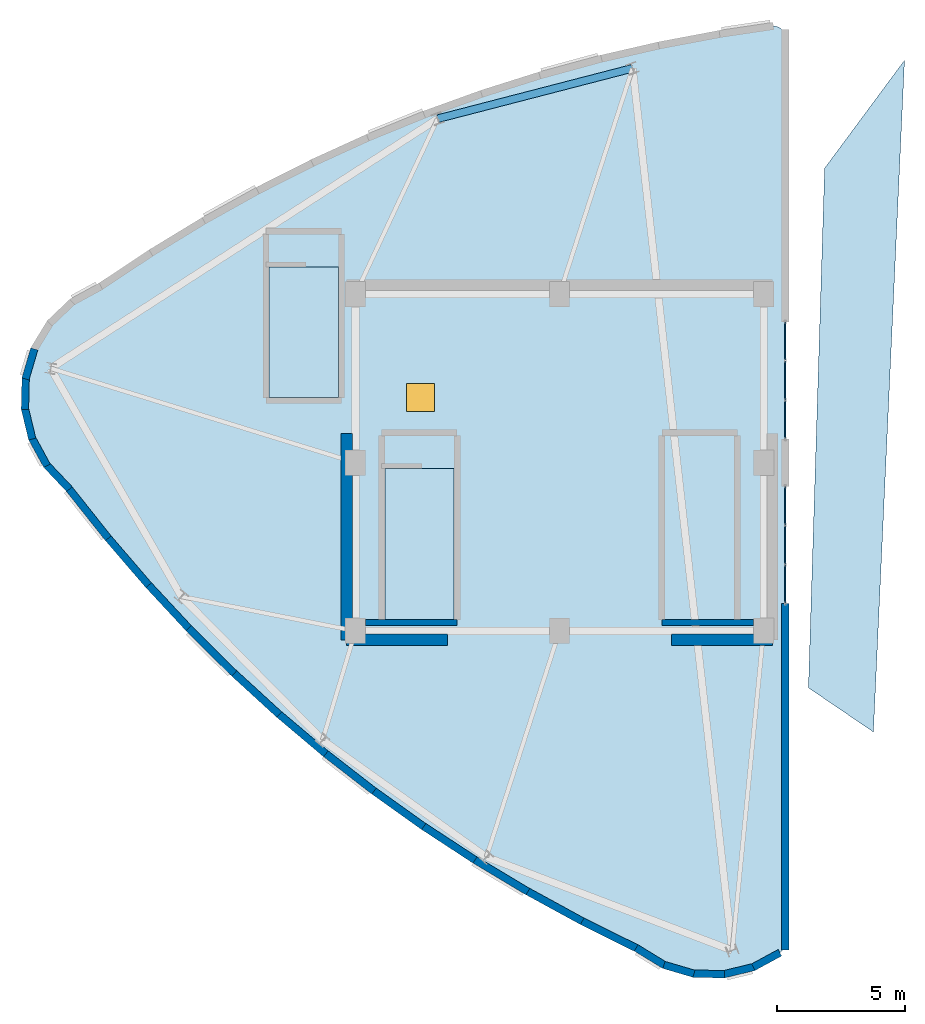
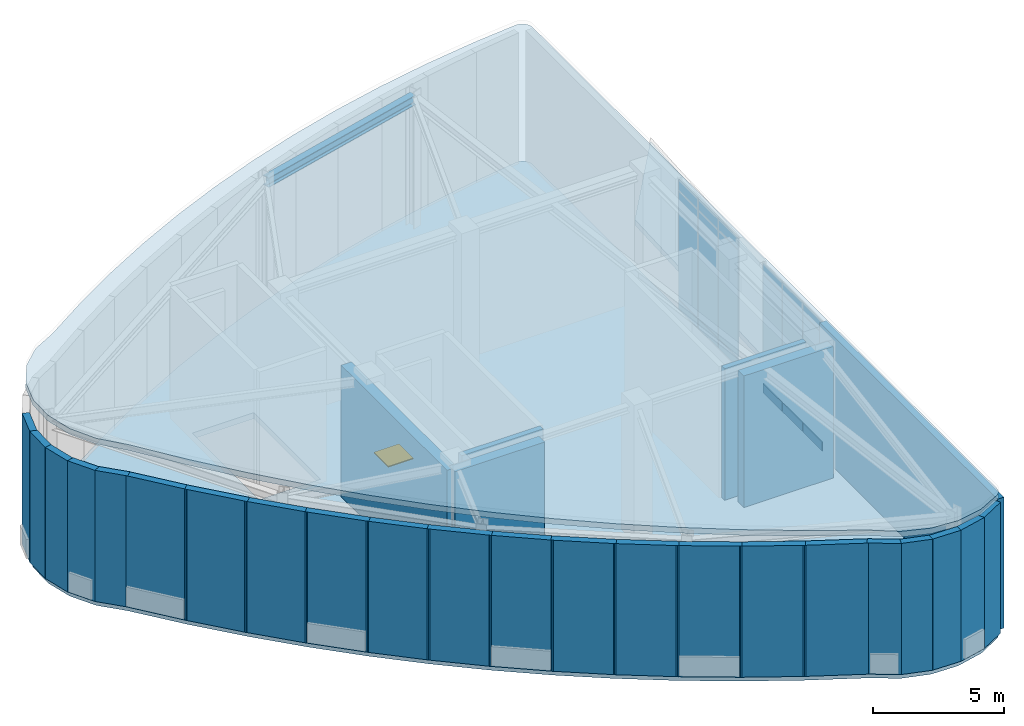
# One storey, part 7 of 9: 28 walls, 18 plates, 3 slabs, 1 beam, 1 door, 1 opening, 2 elements without a shape of their own.
"""IFC4 building model written with IfcOpenShell, lengths in metres."""

from ifc_helpers import new_model, si_unit, direction, frame, frame_2d, origin, origin_2d, place, context, subcontext, project, spatial, polyline, rectangle, i_section, outline, extrude, material, layer, layer_set, material_profile, profile_set, type_object, element, fill, aggregate, save


model = new_model("IFC4")

# Units and contexts
model_context = context("Model", 3, precision=1e-05, world=origin(), true_north=direction((0.0, 1.0)))
body_context = subcontext(model_context, "Body", "Model", "MODEL_VIEW")
ifc_project = project(units=[si_unit("LENGTHUNIT", "METRE"), si_unit("AREAUNIT", "SQUARE_METRE"), si_unit("VOLUMEUNIT", "CUBIC_METRE"), si_unit("PLANEANGLEUNIT", "RADIAN"), si_unit("MASSUNIT", "GRAM", prefix="KILO")], contexts=[model_context])

# Site, building, storey
site_placement = place(None, origin())
site = spatial("IfcSite", under=ifc_project, at=site_placement, CompositionType="ELEMENT")
building_placement = place(site_placement, origin())
building = spatial("IfcBuilding", under=site, at=building_placement, Name="Ndelora Gate Hotel", CompositionType="ELEMENT")
storey_placement = place(building_placement, frame((0.0, 0.0, 311.60009765625)))
storey = spatial("IfcBuildingStorey", under=building, at=storey_placement, Name="RF2", CompositionType="ELEMENT", Elevation=311.60009765625)

# Beam
ifc_material_1 = material(Name="Steel S355", Category="steel")
ifc_material_profile = material_profile(ifc_material_1, i_section(OverallWidth=0.300048828125, OverallDepth=0.449951171875, WebThickness=0.013916015625, FlangeThickness=0.02587890625, FilletRadius=0.027099609375, at=origin_2d()), Name="HEB 450")
ifc_profile_set = profile_set([ifc_material_profile], Name="Steel S355")
beam_type = type_object("IfcBeamType", Name="BM-RING-450", PredefinedType="SPANDREL", material=ifc_profile_set)
beam_placement = place(storey_placement, frame((2.865478515625, 15.461181640625, 5.914794921875), z_axis=(-0.968064499617, -0.250701265615, 0.0), x_axis=(0.250701265615, -0.968064499617, 0.0)))
element("IfcBeam", 1, at=beam_placement, inside=storey, type_object=beam_type, Name="RF2 structural beam RB-5", PredefinedType="SPANDREL", context=body_context, shape_type="SweptSolid", body=[
    extrude(i_section(OverallWidth=0.300048828125, OverallDepth=0.449951171875, WebThickness=0.013916015625, FlangeThickness=0.02587890625, FilletRadius=0.027099609375, at=origin_2d()), origin(), (0.0, 0.0, 1.0), 7.891845703125),
])

# Curtain wall, plates
ifc_material_2 = material(Name="Bronze Anodised Unitised Aluminium and Low-E Glass", Category="aluminium")
ifc_layer_1 = layer(ifc_material_2, 0.199951171875)
ifc_layer_set_1 = layer_set([ifc_layer_1], Name="Bronze Anodised Unitised Aluminium and Low-E Glass")
curtain_wall_type = type_object("IfcCurtainWallType", Name="CW-SYS-8", PredefinedType="NOTDEFINED", material=ifc_layer_set_1)
curtain_wall_1_placement = place(storey_placement, origin())
curtain_wall_1 = element("IfcCurtainWall", 2, at=curtain_wall_1_placement, inside=storey, type_object=curtain_wall_type, Name="RF2 Split-Crown West Cleft Lantern Curtain Wall CW8-1", PredefinedType="NOTDEFINED")
ifc_material_3 = material(Name="Solar-Control Low-E Insulated Glazing", Category="glass")
ifc_layer_2 = layer(ifc_material_3, 0.048095703125)
ifc_layer_set_2 = layer_set([ifc_layer_2], Name="Solar-Control Low-E Insulated Glazing")
plate_type = type_object("IfcPlateType", Name="PL-CW-GLZ36", PredefinedType="CURTAIN_PANEL", material=ifc_layer_set_2)
plate_1_placement = place(storey_placement, frame((8.85009765625, -4.760009765625, 0.0537109375), z_axis=(0.0, 0.0, 1.0), x_axis=(0.0, 1.0, 0.0)))
plate_1 = element("IfcPlate", 3, at=plate_1_placement, type_object=plate_type, Name="CW8 panel 1.1", PredefinedType="CURTAIN_PANEL", context=body_context, shape_type="SweptSolid", body=[
    extrude(rectangle(XDim=1.471923828125, YDim=0.048095703125, at=origin_2d()), origin(), (0.0, 0.0, 1.0), 0.422119140625),
])
plate_2_placement = place(storey_placement, frame((8.85009765625, -4.760009765625, 0.52392578125), z_axis=(0.0, 0.0, 1.0), x_axis=(0.0, 1.0, 0.0)))
plate_2 = element("IfcPlate", 4, at=plate_2_placement, type_object=plate_type, Name="CW8 panel 1.2", PredefinedType="CURTAIN_PANEL", context=body_context, shape_type="SweptSolid", body=[
    extrude(rectangle(XDim=1.471923828125, YDim=0.048095703125, at=origin_2d()), origin(), (0.0, 0.0, 1.0), 5.02197265625),
])
plate_3_placement = place(storey_placement, frame((8.85009765625, -4.760009765625, 5.59375), z_axis=(0.0, 0.0, 1.0), x_axis=(0.0, 1.0, 0.0)))
plate_3 = element("IfcPlate", 5, at=plate_3_placement, type_object=plate_type, Name="CW8 panel 1.3", PredefinedType="CURTAIN_PANEL", context=body_context, shape_type="SweptSolid", body=[
    extrude(rectangle(XDim=1.471923828125, YDim=0.048095703125, at=origin_2d()), origin(), (0.0, 0.0, 1.0), 0.471923828125),
])
plate_4_placement = place(storey_placement, frame((8.85009765625, -3.22509765625, 0.0537109375), z_axis=(0.0, 0.0, 1.0), x_axis=(0.0, 1.0, 0.0)))
plate_4 = element("IfcPlate", 6, at=plate_4_placement, type_object=plate_type, Name="CW8 panel 2.1", PredefinedType="CURTAIN_PANEL", context=body_context, shape_type="SweptSolid", body=[
    extrude(rectangle(XDim=1.501953125, YDim=0.048095703125, at=origin_2d()), origin(), (0.0, 0.0, 1.0), 0.422119140625),
])
plate_5_placement = place(storey_placement, frame((8.85009765625, -3.22509765625, 0.52392578125), z_axis=(0.0, 0.0, 1.0), x_axis=(0.0, 1.0, 0.0)))
plate_5 = element("IfcPlate", 7, at=plate_5_placement, type_object=plate_type, Name="CW8 panel 2.2", PredefinedType="CURTAIN_PANEL", context=body_context, shape_type="SweptSolid", body=[
    extrude(rectangle(XDim=1.501953125, YDim=0.048095703125, at=origin_2d()), origin(), (0.0, 0.0, 1.0), 5.02197265625),
])
plate_6_placement = place(storey_placement, frame((8.85009765625, -3.22509765625, 5.59375), z_axis=(0.0, 0.0, 1.0), x_axis=(0.0, 1.0, 0.0)))
plate_6 = element("IfcPlate", 8, at=plate_6_placement, type_object=plate_type, Name="CW8 panel 2.3", PredefinedType="CURTAIN_PANEL", context=body_context, shape_type="SweptSolid", body=[
    extrude(rectangle(XDim=1.501953125, YDim=0.048095703125, at=origin_2d()), origin(), (0.0, 0.0, 1.0), 0.471923828125),
])
plate_7_placement = place(storey_placement, frame((8.85009765625, -1.68994140625, 0.0537109375), z_axis=(0.0, 0.0, 1.0), x_axis=(0.0, 1.0, 0.0)))
plate_7 = element("IfcPlate", 9, at=plate_7_placement, type_object=plate_type, Name="CW8 panel 3.1", PredefinedType="CURTAIN_PANEL", context=body_context, shape_type="SweptSolid", body=[
    extrude(rectangle(XDim=1.471923828125, YDim=0.048095703125, at=origin_2d()), origin(), (0.0, 0.0, 1.0), 0.422119140625),
])
plate_8_placement = place(storey_placement, frame((8.85009765625, -1.68994140625, 0.52392578125), z_axis=(0.0, 0.0, 1.0), x_axis=(0.0, 1.0, 0.0)))
plate_8 = element("IfcPlate", 10, at=plate_8_placement, type_object=plate_type, Name="CW8 panel 3.2", PredefinedType="CURTAIN_PANEL", context=body_context, shape_type="SweptSolid", body=[
    extrude(rectangle(XDim=1.471923828125, YDim=0.048095703125, at=origin_2d()), origin(), (0.0, 0.0, 1.0), 5.02197265625),
])
plate_9_placement = place(storey_placement, frame((8.85009765625, -1.68994140625, 5.59375), z_axis=(0.0, 0.0, 1.0), x_axis=(0.0, 1.0, 0.0)))
plate_9 = element("IfcPlate", 11, at=plate_9_placement, type_object=plate_type, Name="CW8 panel 3.3", PredefinedType="CURTAIN_PANEL", context=body_context, shape_type="SweptSolid", body=[
    extrude(rectangle(XDim=1.471923828125, YDim=0.048095703125, at=origin_2d()), origin(), (0.0, 0.0, 1.0), 0.471923828125),
])
aggregate(curtain_wall_1, [plate_1, plate_2, plate_3, plate_4, plate_5, plate_6, plate_7, plate_8, plate_9])

curtain_wall_2_placement = place(storey_placement, origin())
curtain_wall_2 = element("IfcCurtainWall", 12, at=curtain_wall_2_placement, inside=storey, type_object=curtain_wall_type, Name="RF2 Split-Crown West Cleft Lantern Curtain Wall CW8-2", PredefinedType="NOTDEFINED")
plate_10_placement = place(storey_placement, frame((8.85009765625, 1.68994140625, 0.0537109375), z_axis=(0.0, 0.0, 1.0), x_axis=(0.0, 1.0, 0.0)))
plate_10 = element("IfcPlate", 13, at=plate_10_placement, type_object=plate_type, Name="CW8 panel 1.1", PredefinedType="CURTAIN_PANEL", context=body_context, shape_type="SweptSolid", body=[
    extrude(rectangle(XDim=1.471923828125, YDim=0.048095703125, at=origin_2d()), origin(), (0.0, 0.0, 1.0), 0.422119140625),
])
plate_11_placement = place(storey_placement, frame((8.85009765625, 1.68994140625, 0.52392578125), z_axis=(0.0, 0.0, 1.0), x_axis=(0.0, 1.0, 0.0)))
plate_11 = element("IfcPlate", 14, at=plate_11_placement, type_object=plate_type, Name="CW8 panel 1.2", PredefinedType="CURTAIN_PANEL", context=body_context, shape_type="SweptSolid", body=[
    extrude(rectangle(XDim=1.471923828125, YDim=0.048095703125, at=origin_2d()), origin(), (0.0, 0.0, 1.0), 5.02197265625),
])
plate_12_placement = place(storey_placement, frame((8.85009765625, 1.68994140625, 5.59375), z_axis=(0.0, 0.0, 1.0), x_axis=(0.0, 1.0, 0.0)))
plate_12 = element("IfcPlate", 15, at=plate_12_placement, type_object=plate_type, Name="CW8 panel 1.3", PredefinedType="CURTAIN_PANEL", context=body_context, shape_type="SweptSolid", body=[
    extrude(rectangle(XDim=1.471923828125, YDim=0.048095703125, at=origin_2d()), origin(), (0.0, 0.0, 1.0), 0.471923828125),
])
plate_13_placement = place(storey_placement, frame((8.85009765625, 3.22509765625, 0.0537109375), z_axis=(0.0, 0.0, 1.0), x_axis=(0.0, 1.0, 0.0)))
plate_13 = element("IfcPlate", 16, at=plate_13_placement, type_object=plate_type, Name="CW8 panel 2.1", PredefinedType="CURTAIN_PANEL", context=body_context, shape_type="SweptSolid", body=[
    extrude(rectangle(XDim=1.501953125, YDim=0.048095703125, at=origin_2d()), origin(), (0.0, 0.0, 1.0), 0.422119140625),
])
plate_14_placement = place(storey_placement, frame((8.85009765625, 3.22509765625, 0.52392578125), z_axis=(0.0, 0.0, 1.0), x_axis=(0.0, 1.0, 0.0)))
plate_14 = element("IfcPlate", 17, at=plate_14_placement, type_object=plate_type, Name="CW8 panel 2.2", PredefinedType="CURTAIN_PANEL", context=body_context, shape_type="SweptSolid", body=[
    extrude(rectangle(XDim=1.501953125, YDim=0.048095703125, at=origin_2d()), origin(), (0.0, 0.0, 1.0), 5.02197265625),
])
plate_15_placement = place(storey_placement, frame((8.85009765625, 3.22509765625, 5.59375), z_axis=(0.0, 0.0, 1.0), x_axis=(0.0, 1.0, 0.0)))
plate_15 = element("IfcPlate", 18, at=plate_15_placement, type_object=plate_type, Name="CW8 panel 2.3", PredefinedType="CURTAIN_PANEL", context=body_context, shape_type="SweptSolid", body=[
    extrude(rectangle(XDim=1.501953125, YDim=0.048095703125, at=origin_2d()), origin(), (0.0, 0.0, 1.0), 0.471923828125),
])
plate_16_placement = place(storey_placement, frame((8.85009765625, 4.760009765625, 0.0537109375), z_axis=(0.0, 0.0, 1.0), x_axis=(0.0, 1.0, 0.0)))
plate_16 = element("IfcPlate", 19, at=plate_16_placement, type_object=plate_type, Name="CW8 panel 3.1", PredefinedType="CURTAIN_PANEL", context=body_context, shape_type="SweptSolid", body=[
    extrude(rectangle(XDim=1.471923828125, YDim=0.048095703125, at=origin_2d()), origin(), (0.0, 0.0, 1.0), 0.422119140625),
])
plate_17_placement = place(storey_placement, frame((8.85009765625, 4.760009765625, 0.52392578125), z_axis=(0.0, 0.0, 1.0), x_axis=(0.0, 1.0, 0.0)))
plate_17 = element("IfcPlate", 20, at=plate_17_placement, type_object=plate_type, Name="CW8 panel 3.2", PredefinedType="CURTAIN_PANEL", context=body_context, shape_type="SweptSolid", body=[
    extrude(rectangle(XDim=1.471923828125, YDim=0.048095703125, at=origin_2d()), origin(), (0.0, 0.0, 1.0), 5.02197265625),
])
plate_18_placement = place(storey_placement, frame((8.85009765625, 4.760009765625, 5.59375), z_axis=(0.0, 0.0, 1.0), x_axis=(0.0, 1.0, 0.0)))
plate_18 = element("IfcPlate", 21, at=plate_18_placement, type_object=plate_type, Name="CW8 panel 3.3", PredefinedType="CURTAIN_PANEL", context=body_context, shape_type="SweptSolid", body=[
    extrude(rectangle(XDim=1.471923828125, YDim=0.048095703125, at=origin_2d()), origin(), (0.0, 0.0, 1.0), 0.471923828125),
])
aggregate(curtain_wall_2, [plate_10, plate_11, plate_12, plate_13, plate_14, plate_15, plate_16, plate_17, plate_18])

# Slabs
ifc_material_4 = material(Name="Precast concrete C40/50", Category="concrete")
ifc_layer_3 = layer(ifc_material_4, 0.260009765625)
ifc_layer_set_3 = layer_set([ifc_layer_3], Name="Precast concrete C40/50")
slab_type_1 = type_object("IfcSlabType", Name="SL-ROOF-260", PredefinedType="ROOF", material=ifc_layer_set_3)
slab_1_placement = place(storey_placement, frame((0.0, 0.0, -0.260009765625)))
element("IfcSlab", 22, at=slab_1_placement, inside=storey, type_object=slab_type_1, Name="RF2 East Peak Closed Crown Roof Cap", PredefinedType="ROOF", context=body_context, shape_type="SweptSolid", body=[
    extrude(outline(polyline([(9.757568359375, -8.828369140625), (12.306884765625, -10.562255859375), (13.527099609375, 15.7783203125), (10.39208984375, 11.540771484375), (9.757568359375, -8.828369140625)])), origin(), (0.0, 0.0, 1.0), 0.260009765625),
])
slab_2_placement = place(storey_placement, frame((-18.02685546875, 6.884033203125, 7.436767578125), z_axis=(0.038553105268, -1.118725e-06, 0.99925655268), x_axis=(-0.877610918538, -0.478176354414, 0.033859263758)))
element("IfcSlab", 23, at=slab_2_placement, inside=storey, type_object=slab_type_1, Name="RF2 West Peak Summit Sloped Closed Crown Cap", PredefinedType="ROOF", context=body_context, shape_type="SweptSolid", body=[
    extrude(outline(polyline([(0.0, 0.0), (1.1998302787047992, -6.982261990806649e-17), (1.2769157690503157, 0.01334852383215672), (2.3551477014806173, 0.3024942491323675), (2.42646308493872, 0.3353852210057587), (3.3930036656984535, 0.8935497542773618), (3.4530194136861208, 0.9439901038665637), (4.2420554018915455, 1.7330629489637583), (4.287017830941631, 1.7972587935975903), (4.844657780689365, 2.7637431665519574), (4.871489054456459, 2.8375326530725813), (5.159712034698895, 3.9156772140521507), (5.166781850427544, 3.9935544098188314), (5.165889032727402, 5.109856080671303), (5.152487376980023, 5.1869259185786225), (4.846565829966951, 6.336705510676424), (4.42451771123608, 8.756982262312322), (3.9143293592637463, 11.132401886519421), (3.3146506541810794, 13.470648987800207), (2.6254567967226317, 15.771737069205306), (1.846550059253877, 18.035773784174015), (0.9782614445269977, 20.26285689711629), (0.020465943846155063, 22.452776489166006), (-1.0272649637449711, 24.605765871269256), (-2.164269272742005, 26.722020572245963), (-3.390869719475323, 28.801438326669295), (-4.7071913126407665, 30.843809215673108), (-6.123326418974052, 32.86685925473006), (-6.723977015819069, 33.90551856197296), (-6.7743645075151475, 33.96575410681217), (-7.5643651932812, 34.75474844147466), (-7.628494018736626, 34.79994908525096), (-8.595838165414184, 35.357759648492646), (-8.669559081409707, 35.38483236662299), (-9.74831314630418, 35.67361535290854), (-9.826347935020065, 35.68052032916186), (-10.903795732040251, 35.681993740473644), (-10.981971853329508, 35.6753545991433), (-11.0505377281912, 35.65875742120654), (-11.135929746207857, 35.62658103889014), (-11.212826739040041, 35.577826304768486), (-11.278425494256444, 35.51458074448242), (-11.33000378478627, 35.439253956995124), (-28.31876522641601, 4.230988789107495), (-28.345496081786607, 4.1440795237523576), (-28.353759308409522, 4.053786983006326), (-28.343993091517557, 3.9634075303837886), (-28.316491383577755, 3.8769929435043244), (-28.27189009745744, 3.797947239321611), (-28.212298964993956, 3.7290869613339717), (-28.140203949223814, 3.673989455157388), (-28.058507178637104, 3.6339568220584737), (-26.156669460473054, 2.936791963881149), (-23.84368905573335, 2.1895159450321047), (-21.51852559284168, 1.5381817562173667), (-19.18062285091962, 0.9833205026298034), (-16.830108529889284, 0.52416776813045), (-14.466971672102591, 0.1612735489752595), (-12.09123150162943, -0.10590765007483993), (-9.702521258804094, -0.2767415714045728), (-7.301313487918242, -0.35152689625627737), (-4.887163135171925, -0.3305059376098059), (-2.4601677187692745, -0.21334762010910022), (0.0, 0.0)])), origin(), (0.0, 0.0, -1.0), 0.260009765625),
])

# Slab, opening, door
ifc_material_5 = material(Name="Concrete C40/50", Category="concrete")
ifc_layer_4 = layer(ifc_material_5, 0.280029296875)
ifc_layer_set_4 = layer_set([ifc_layer_4], Name="Concrete C40/50")
slab_type_2 = type_object("IfcSlabType", Name="SL-ROOF-280", PredefinedType="ROOF", material=ifc_layer_set_4)
slab_3_placement = place(storey_placement, frame((0.0, 0.0, -0.280029296875)))
slab_3 = element("IfcSlab", 24, at=slab_3_placement, inside=storey, type_object=slab_type_2, Name="RF2 West Peak Upper Crown Deck", PredefinedType="ROOF", context=body_context, shape_type="SweptSolid", body=[
    extrude(outline(polyline([(-18.02685546875, 6.884033203125), (-19.079833984375, 6.310302734375), (-19.14111328125, 6.26171875), (-19.94921875, 5.4921875), (-19.99609375, 5.42919921875), (-20.57763671875, 4.476806640625), (-20.606201171875, 4.40380859375), (-20.921630859375, 3.33349609375), (-20.930419921875, 3.255615234375), (-20.9580078125, 2.14013671875), (-20.9462890625, 2.0625), (-20.68408203125, 0.977783203125), (-20.653076171875, 0.906005859375), (-20.118896484375, -0.073974609375), (-20.0703125, -0.13525390625), (-19.25244140625, -0.998779296875), (-17.7255859375, -2.922607421875), (-16.142822265625, -4.764892578125), (-14.499267578125, -6.53173828125), (-12.794921875, -8.22314453125), (-11.029541015625, -9.839111328125), (-9.203369140625, -11.3798828125), (-7.31640625, -12.84521484375), (-5.3681640625, -14.235107421875), (-3.359130859375, -15.550048828125), (-1.2890625, -16.789794921875), (0.842041015625, -17.9541015625), (3.051513671875, -19.0537109375), (4.074951171875, -19.6787109375), (4.14794921875, -19.70751953125), (5.21826171875, -20.022705078125), (5.296142578125, -20.03173828125), (6.41162109375, -20.05908203125), (6.4892578125, -20.047607421875), (7.573974609375, -19.785400390625), (7.645751953125, -19.754150390625), (8.592041015625, -19.240234375), (8.657470703125, -19.197021484375), (8.709716796875, -19.149658203125), (8.769287109375, -19.08056640625), (8.8134765625, -19.0009765625), (8.8408203125, -18.9140625), (8.85009765625, -18.8232421875), (8.84765625, 16.70947265625), (8.82958984375, 16.798583984375), (8.793701171875, 16.8818359375), (8.741943359375, 16.95654296875), (8.676513671875, 17.019287109375), (8.599609375, 17.0673828125), (8.514404296875, 17.099365234375), (8.4248046875, 17.11328125), (8.333984375, 17.109375), (6.331787109375, 16.812255859375), (3.94482421875, 16.362548828125), (1.593017578125, 15.82275390625), (-0.723876953125, 15.192138671875), (-3.006103515625, 14.471435546875), (-5.25341796875, 13.66015625), (-7.466064453125, 12.7587890625), (-9.64404296875, 11.7666015625), (-11.787109375, 10.68408203125), (-13.895751953125, 9.51123046875), (-15.9697265625, 8.247802734375), (-18.02685546875, 6.884033203125)]), holes=[polyline([(-6.85009765625, -0.22998046875), (-6.85009765625, -6.14990234375), (-4.1298828125, -6.14990234375), (-4.1298828125, -0.22998046875), (-6.85009765625, -0.22998046875)]), polyline([(-11.389892578125, 7.669921875), (-11.389892578125, 2.550048828125), (-8.669921875, 2.550048828125), (-8.669921875, 7.669921875), (-11.389892578125, 7.669921875)]), polyline([(-6.0, 2.0), (-4.89990234375, 2.0), (-4.89990234375, 3.10009765625), (-6.0, 3.10009765625), (-6.0, 2.0)])]), origin(), (0.0, 0.0, 1.0), 0.280029296875),
])
opening_placement = place(slab_3_placement, frame((-5.449951171875, 2.550048828125, 0.0)))
opening = element("IfcOpeningElement", 25, at=opening_placement, cuts=slab_3, Name="Opening RH-2", PredefinedType="OPENING", context=body_context, shape_type="SweptSolid", body=[
    extrude(rectangle(XDim=1.10009765625, YDim=1.10009765625, at=origin_2d()), frame((0.0, 0.0, -0.010009765625)), (0.0, 0.0, 1.0), 0.300048828125),
])
ifc_material_6 = material(Name="Thermal-Break Powder-Coated Aluminium Roof Access Hatch", Category="aluminium")
door_type = type_object("IfcDoorType", Name="DR-HATCH-1100", OperationType="NOTDEFINED", PredefinedType="TRAPDOOR", material=ifc_material_6)
door_placement = place(opening_placement, frame((0.0, 0.0, 0.22998046875)))
door = element("IfcDoor", 26, at=door_placement, inside=storey, type_object=door_type, Name="RF2 West Peak Roof Maintenance Access Hatch RH-2", OperationType="SINGLE_SWING_LEFT", OverallHeight=1.10009765625, OverallWidth=1.10009765625, PredefinedType="TRAPDOOR", context=body_context, shape_type="SweptSolid", body=[
    extrude(rectangle(XDim=1.10009765625, YDim=1.10009765625, at=origin_2d()), origin(), (0.0, 0.0, 1.0), 0.050048828125),
])
fill(opening, door)

# Walls
ifc_material_7 = material(Name="Concrete C50/60", Category="concrete")
ifc_layer_5 = layer(ifc_material_7, 0.449951171875)
ifc_layer_set_5 = layer_set([ifc_layer_5], Name="Concrete C50/60")
wall_type_1 = type_object("IfcWallType", Name="WL-CORE-450", PredefinedType="SHEAR", material=ifc_layer_set_5)
for number, where, z_axis, x_axis, name in (
    (27, (-8.35009765625, -6.949951171875, 0.0), (0.0, 0.0, 1.0), (1.0, 0.0, 0.0), "RF2 Core Shear Wall S-W"),
    (28, (4.39990234375, -6.949951171875, 0.0), (0.0, 0.0, 1.0), (1.0, 0.0, 0.0), "RF2 Core Shear Wall S-E"),
):
    element("IfcWall", number, at=place(storey_placement, frame(where, z_axis=z_axis, x_axis=x_axis)), inside=storey, type_object=wall_type_1, Name=name, PredefinedType="SHEAR", context=body_context, shape_type="SweptSolid", body=[
        extrude(rectangle(XDim=3.9501953125, YDim=0.449951171875, at=frame_2d((1.97509765625, 0.0))), origin(), (0.0, 0.0, 1.0), 6.139892578125),
    ])
wall_1_placement = place(storey_placement, frame((-8.35009765625, -6.949951171875, 0.0), z_axis=(0.0, 0.0, 1.0), x_axis=(0.0, 1.0, 0.0)))
element("IfcWall", 29, at=wall_1_placement, inside=storey, type_object=wall_type_1, Name="RF2 Core Shear Wall W", PredefinedType="SHEAR", context=body_context, shape_type="SweptSolid", body=[
    extrude(rectangle(XDim=8.099853515625, YDim=0.449951171875, at=frame_2d((4.0498046875, 0.0))), origin(), (0.0, 0.0, 1.0), 6.139892578125),
])
ifc_layer_6 = layer(ifc_material_4, 0.2900390625)
ifc_layer_set_6 = layer_set([ifc_layer_6], Name="Precast concrete C40/50")
wall_type_2 = type_object("IfcWallType", Name="WL-PARA-290", PredefinedType="PARAPET", material=ifc_layer_set_6)
wall_2_placement = place(storey_placement, frame((8.85009765625, -5.52001953125, 0.0), z_axis=(0.0, 0.0, 1.0), x_axis=(0.0, -1.0, 0.0)))
element("IfcWall", 30, at=wall_2_placement, inside=storey, type_object=wall_type_2, Name="RF2 West Crown Canyon Brick Pier 1", PredefinedType="PARAPET", context=body_context, shape_type="SweptSolid", body=[
    extrude(rectangle(XDim=13.590576171875, YDim=0.2900390625, at=frame_2d((6.79541015625, 0.0))), origin(), (0.0, 0.0, 1.0), 6.119873046875),
])
for number, where, z_axis, x_axis, name in (
    (31, (-20.93701171875, 3.28076171875, 0.0), (0.0, 0.0, 1.0), (0.282392736693, 0.95929888057, 0.0), "RF2 Crown Enclosure Parapet Wall WPK-7"),
    (32, (-20.95947265625, 2.085205078125, 0.0), (0.0, 0.0, 1.0), (0.024698579996, 0.999694943543, 0.0), "RF2 Crown Enclosure Parapet Wall WPK-9"),
    (33, (-20.67138671875, 0.92431640625, 0.0), (0.0, 0.0, 1.0), (-0.234796268819, 0.972044603991, 0.0), "RF2 Crown Enclosure Parapet Wall WPK-11"),
):
    element("IfcWall", number, at=place(storey_placement, frame(where, z_axis=z_axis, x_axis=x_axis)), inside=storey, type_object=wall_type_2, Name=name, PredefinedType="PARAPET", context=body_context, shape_type="SweptSolid", body=[
        extrude(rectangle(XDim=1.225830078125, YDim=0.2900390625, at=frame_2d((0.61279296875, 0.0))), origin(), (0.0, 0.0, 1.0), 6.119873046875),
    ])
wall_3_placement = place(storey_placement, frame((-20.0927734375, -0.122314453125, 0.0), z_axis=(0.0, 0.0, 1.0), x_axis=(-0.478321862725, 0.878184602256, 0.0)))
element("IfcWall", 34, at=wall_3_placement, inside=storey, type_object=wall_type_2, Name="RF2 Crown Enclosure Parapet Wall WPK-13", PredefinedType="PARAPET", context=body_context, shape_type="SweptSolid", body=[
    extrude(rectangle(XDim=1.22607421875, YDim=0.2900390625, at=frame_2d((0.613037109375, 0.0))), origin(), (0.0, 0.0, 1.0), 6.119873046875),
])
wall_4_placement = place(storey_placement, frame((-19.214599609375, -1.038818359375, 0.0), z_axis=(0.0, 0.0, 1.0), x_axis=(-0.687489239636, 0.726194564414, 0.0)))
element("IfcWall", 35, at=wall_4_placement, inside=storey, type_object=wall_type_2, Name="RF2 Crown Enclosure Parapet Wall WPK-15", PredefinedType="PARAPET", context=body_context, shape_type="SweptSolid", body=[
    extrude(rectangle(XDim=1.29931640625, YDim=0.2900390625, at=frame_2d((0.649658203125, 0.0))), origin(), (0.0, 0.0, 1.0), 6.119873046875),
])
wall_5_placement = place(storey_placement, frame((-17.69140625, -2.9658203125, 0.0), z_axis=(0.0, 0.0, 1.0), x_axis=(-0.621650447108, 0.783294785895, 0.0)))
element("IfcWall", 36, at=wall_5_placement, inside=storey, type_object=wall_type_2, Name="RF2 Crown Enclosure Parapet Wall WPK-16", PredefinedType="PARAPET", context=body_context, shape_type="SweptSolid", body=[
    extrude(rectangle(XDim=2.566162109375, YDim=0.2900390625, at=frame_2d((1.283203125, 0.0))), origin(), (0.0, 0.0, 1.0), 6.119873046875),
])
wall_6_placement = place(storey_placement, frame((-16.107177734375, -4.806640625, 0.0), z_axis=(0.0, 0.0, 1.0), x_axis=(-0.651662151114, 0.758509354462, 0.0)))
element("IfcWall", 37, at=wall_6_placement, inside=storey, type_object=wall_type_2, Name="RF2 Crown Enclosure Parapet Wall WPK-17", PredefinedType="PARAPET", context=body_context, shape_type="SweptSolid", body=[
    extrude(rectangle(XDim=2.53857421875, YDim=0.2900390625, at=frame_2d((1.269287109375, 0.0))), origin(), (0.0, 0.0, 1.0), 6.119873046875),
])
wall_7_placement = place(storey_placement, frame((-14.4619140625, -6.572021484375, 0.0), z_axis=(0.0, 0.0, 1.0), x_axis=(-0.681100323402, 0.732190104728, 0.0)))
element("IfcWall", 38, at=wall_7_placement, inside=storey, type_object=wall_type_2, Name="RF2 Crown Enclosure Parapet Wall WPK-18", PredefinedType="PARAPET", context=body_context, shape_type="SweptSolid", body=[
    extrude(rectangle(XDim=2.523193359375, YDim=0.2900390625, at=frame_2d((1.26171875, 0.0))), origin(), (0.0, 0.0, 1.0), 6.119873046875),
])
wall_8_placement = place(storey_placement, frame((-12.755859375, -8.26171875, 0.0), z_axis=(0.0, 0.0, 1.0), x_axis=(-0.709823779942, 0.704379302243, 0.0)))
element("IfcWall", 39, at=wall_8_placement, inside=storey, type_object=wall_type_2, Name="RF2 Crown Enclosure Parapet Wall WPK-19", PredefinedType="PARAPET", context=body_context, shape_type="SweptSolid", body=[
    extrude(rectangle(XDim=2.51123046875, YDim=0.2900390625, at=frame_2d((1.255615234375, 0.0))), origin(), (0.0, 0.0, 1.0), 6.119873046875),
])
wall_9_placement = place(storey_placement, frame((-10.989013671875, -9.876220703125, 0.0), z_axis=(0.0, 0.0, 1.0), x_axis=(-0.737627628948, 0.675207731748, 0.0)))
element("IfcWall", 40, at=wall_9_placement, inside=storey, type_object=wall_type_2, Name="RF2 Crown Enclosure Parapet Wall WPK-20", PredefinedType="PARAPET", context=body_context, shape_type="SweptSolid", body=[
    extrude(rectangle(XDim=2.503173828125, YDim=0.2900390625, at=frame_2d((1.25146484375, 0.0))), origin(), (0.0, 0.0, 1.0), 6.119873046875),
])
wall_10_placement = place(storey_placement, frame((-9.161376953125, -11.415283203125, 0.0), z_axis=(0.0, 0.0, 1.0), x_axis=(-0.764315556833, 0.644842406781, 0.0)))
element("IfcWall", 41, at=wall_10_placement, inside=storey, type_object=wall_type_2, Name="RF2 Crown Enclosure Parapet Wall WPK-21", PredefinedType="PARAPET", context=body_context, shape_type="SweptSolid", body=[
    extrude(rectangle(XDim=2.499267578125, YDim=0.2900390625, at=frame_2d((1.24951171875, 0.0))), origin(), (0.0, 0.0, 1.0), 6.119873046875),
])
wall_11_placement = place(storey_placement, frame((-7.27294921875, -12.87890625, 0.0), z_axis=(0.0, 0.0, 1.0), x_axis=(-0.789841179094, 0.613311431336, 0.0)))
element("IfcWall", 42, at=wall_11_placement, inside=storey, type_object=wall_type_2, Name="RF2 Crown Enclosure Parapet Wall WPK-22", PredefinedType="PARAPET", context=body_context, shape_type="SweptSolid", body=[
    extrude(rectangle(XDim=2.4990234375, YDim=0.2900390625, at=frame_2d((1.24951171875, 0.0))), origin(), (0.0, 0.0, 1.0), 6.119873046875),
])
wall_12_placement = place(storey_placement, frame((-5.323486328125, -14.26708984375, 0.0), z_axis=(0.0, 0.0, 1.0), x_axis=(-0.814029925436, 0.580822933857, 0.0)))
element("IfcWall", 43, at=wall_12_placement, inside=storey, type_object=wall_type_2, Name="RF2 Crown Enclosure Parapet Wall WPK-23", PredefinedType="PARAPET", context=body_context, shape_type="SweptSolid", body=[
    extrude(rectangle(XDim=2.503173828125, YDim=0.2900390625, at=frame_2d((1.25146484375, 0.0))), origin(), (0.0, 0.0, 1.0), 6.119873046875),
])
wall_13_placement = place(storey_placement, frame((-3.313232421875, -15.580078125, 0.0), z_axis=(0.0, 0.0, 1.0), x_axis=(-0.836746876737, 0.547589868671, 0.0)))
element("IfcWall", 44, at=wall_13_placement, inside=storey, type_object=wall_type_2, Name="RF2 Crown Enclosure Parapet Wall WPK-24", PredefinedType="PARAPET", context=body_context, shape_type="SweptSolid", body=[
    extrude(rectangle(XDim=2.510986328125, YDim=0.2900390625, at=frame_2d((1.25537109375, 0.0))), origin(), (0.0, 0.0, 1.0), 6.119873046875),
])
wall_14_placement = place(storey_placement, frame((-1.241943359375, -16.818115234375, 0.0), z_axis=(0.0, 0.0, 1.0), x_axis=(-0.857902474262, 0.513812557899, 0.0)))
element("IfcWall", 45, at=wall_14_placement, inside=storey, type_object=wall_type_2, Name="RF2 Crown Enclosure Parapet Wall WPK-25", PredefinedType="PARAPET", context=body_context, shape_type="SweptSolid", body=[
    extrude(rectangle(XDim=2.523193359375, YDim=0.2900390625, at=frame_2d((1.26171875, 0.0))), origin(), (0.0, 0.0, 1.0), 6.119873046875),
])
wall_15_placement = place(storey_placement, frame((0.890380859375, -17.98046875, 0.0), z_axis=(0.0, 0.0, 1.0), x_axis=(-0.877542510611, 0.479498844702, 0.0)))
element("IfcWall", 46, at=wall_15_placement, inside=storey, type_object=wall_type_2, Name="RF2 Crown Enclosure Parapet Wall WPK-26", PredefinedType="PARAPET", context=body_context, shape_type="SweptSolid", body=[
    extrude(rectangle(XDim=2.53857421875, YDim=0.2900390625, at=frame_2d((1.269287109375, 0.0))), origin(), (0.0, 0.0, 1.0), 6.119873046875),
])
wall_16_placement = place(storey_placement, frame((3.100830078125, -19.078125, 0.0), z_axis=(0.0, 0.0, 1.0), x_axis=(-0.895277941462, 0.445508033073, 0.0)))
element("IfcWall", 47, at=wall_16_placement, inside=storey, type_object=wall_type_2, Name="RF2 Crown Enclosure Parapet Wall WPK-27", PredefinedType="PARAPET", context=body_context, shape_type="SweptSolid", body=[
    extrude(rectangle(XDim=2.577880859375, YDim=0.2900390625, at=frame_2d((1.2890625, 0.0))), origin(), (0.0, 0.0, 1.0), 6.119873046875),
])
wall_17_placement = place(storey_placement, frame((4.121826171875, -19.70751953125, 0.0), z_axis=(0.0, 0.0, 1.0), x_axis=(-0.853318707867, 0.521389665034, 0.0)))
element("IfcWall", 48, at=wall_17_placement, inside=storey, type_object=wall_type_2, Name="RF2 Crown Enclosure Parapet Wall WPK-28", PredefinedType="PARAPET", context=body_context, shape_type="SweptSolid", body=[
    extrude(rectangle(XDim=1.309326171875, YDim=0.2900390625, at=frame_2d((0.65478515625, 0.0))), origin(), (0.0, 0.0, 1.0), 6.119873046875),
])
for number, where, z_axis, x_axis, name in (
    (49, (5.27099609375, -20.038330078125, 0.0), (0.0, 0.0, 1.0), (-0.959229011415, 0.282629976578, 0.0), "RF2 Crown Enclosure Parapet Wall WPK-30"),
    (50, (6.466552734375, -20.060546875, 0.0), (0.0, 0.0, 1.0), (-0.999694943543, 0.024698579996, 0.0), "RF2 Crown Enclosure Parapet Wall WPK-32"),
):
    element("IfcWall", number, at=place(storey_placement, frame(where, z_axis=z_axis, x_axis=x_axis)), inside=storey, type_object=wall_type_2, Name=name, PredefinedType="PARAPET", context=body_context, shape_type="SweptSolid", body=[
        extrude(rectangle(XDim=1.225830078125, YDim=0.2900390625, at=frame_2d((0.61279296875, 0.0))), origin(), (0.0, 0.0, 1.0), 6.119873046875),
    ])
wall_18_placement = place(storey_placement, frame((7.62744140625, -19.7724609375, 0.0), z_axis=(0.0, 0.0, 1.0), x_axis=(-0.97199913572, -0.234984425353, 0.0)))
element("IfcWall", 51, at=wall_18_placement, inside=storey, type_object=wall_type_2, Name="RF2 Crown Enclosure Parapet Wall WPK-34", PredefinedType="PARAPET", context=body_context, shape_type="SweptSolid", body=[
    extrude(rectangle(XDim=1.22607421875, YDim=0.2900390625, at=frame_2d((0.613037109375, 0.0))), origin(), (0.0, 0.0, 1.0), 6.119873046875),
])
wall_19_placement = place(storey_placement, frame((8.640380859375, -19.214111328125, 0.0), z_axis=(0.0, 0.0, 1.0), x_axis=(-0.878860825238, -0.477078242914, 0.0)))
element("IfcWall", 52, at=wall_19_placement, inside=storey, type_object=wall_type_2, Name="RF2 Crown Enclosure Parapet Wall WPK-36", PredefinedType="PARAPET", context=body_context, shape_type="SweptSolid", body=[
    extrude(rectangle(XDim=1.186767578125, YDim=0.2900390625, at=frame_2d((0.59326171875, 0.0))), origin(), (0.0, 0.0, 1.0), 6.119873046875),
])
ifc_layer_7 = layer(ifc_material_7, 0.239990234375)
ifc_layer_set_7 = layer_set([ifc_layer_7], Name="Concrete C50/60")
wall_type_3 = type_object("IfcWallType", Name="WL-STAIR-240", PredefinedType="SHEAR", material=ifc_layer_set_7)
for number, where, z_axis, x_axis, name in (
    (53, (-7.60009765625, -6.27001953125, 0.0), (0.0, 0.0, 1.0), (1.0, 0.0, 0.0), "RF2 Stair Core Shear Wall SW-ST"),
    (54, (4.010009765625, -6.27001953125, 0.0), (0.0, 0.0, 1.0), (1.0, 0.0, 0.0), "RF2 Stair Core Shear Wall SW-ST"),
):
    element("IfcWall", number, at=place(storey_placement, frame(where, z_axis=z_axis, x_axis=x_axis)), inside=storey, type_object=wall_type_3, Name=name, PredefinedType="SHEAR", context=body_context, shape_type="SweptSolid", body=[
        extrude(rectangle(XDim=3.590087890625, YDim=0.239990234375, at=frame_2d((1.794921875, 0.0))), origin(), (0.0, 0.0, 1.0), 6.139892578125),
    ])

save(model, "model.ifc")
